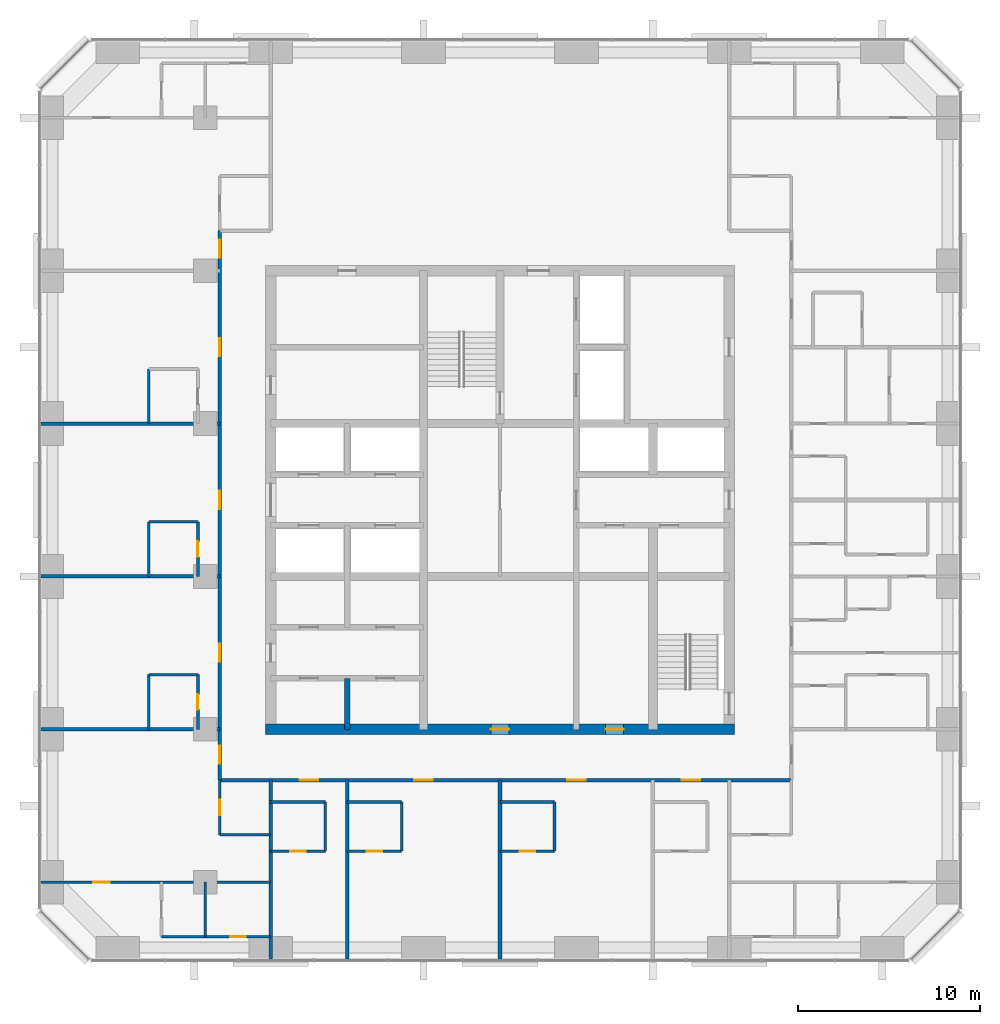
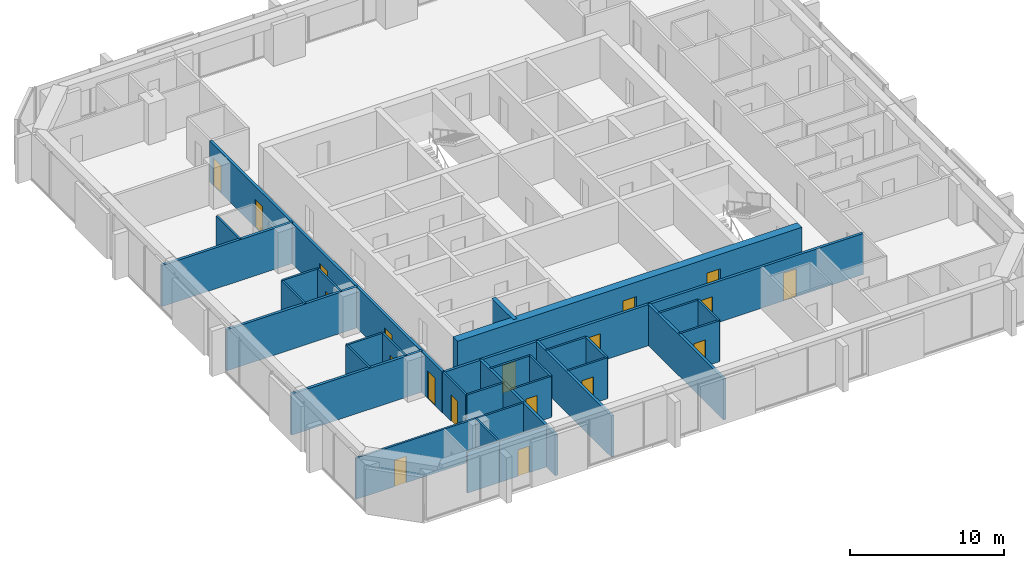
# One storey, part 8 of 13: 32 walls, 19 doors, 19 openings.
"""IFC4 building model written with IfcOpenShell, lengths in metres."""

from ifc_helpers import new_model, si_unit, direction, frame, frame_2d, origin, place, context, subcontext, project, spatial, rectangle, extrude, material, layer, layer_set, type_object, element, fill, save


model = new_model("IFC4")

# Units and contexts
model_context = context("Model", 3, precision=1e-05, world=origin(), true_north=direction((0.0, 1.0)))
body_context = subcontext(model_context, "Body", "Model", "MODEL_VIEW")
ifc_project = project(units=[si_unit("LENGTHUNIT", "METRE"), si_unit("AREAUNIT", "SQUARE_METRE"), si_unit("VOLUMEUNIT", "CUBIC_METRE"), si_unit("PLANEANGLEUNIT", "RADIAN"), si_unit("MASSUNIT", "GRAM", prefix="KILO")], contexts=[model_context])

# Site, building, storey
site_placement = place(None, origin())
site = spatial("IfcSite", under=ifc_project, at=site_placement, CompositionType="ELEMENT")
building_placement = place(site_placement, origin())
building = spatial("IfcBuilding", under=site, at=building_placement, Name="Dunama Terrace Hotel", CompositionType="ELEMENT")
storey_placement = place(building_placement, frame((0.0, 0.0, 195.0)))
storey = spatial("IfcBuildingStorey", under=building, at=storey_placement, Name="L50", CompositionType="ELEMENT", Elevation=195.0)

# Walls
ifc_material_1 = material(Name="Gypsum board partition", Category="masonry")
ifc_layer_1 = layer(ifc_material_1, 0.14990234375)
ifc_layer_set_1 = layer_set([ifc_layer_1], Name="Bathroom partition 150")
wall_type_1 = type_object("IfcWallType", Name="Bathroom partition 150", PredefinedType="PARTITIONING", material=ifc_layer_set_1)
for number, where, z_axis, x_axis, name in (
    (1, (10.10009765625, 16.800048828125, 0.0), (0.0, 0.0, 1.0), (0.0, 1.0, 0.0), "Bathroom partition 150 L50"),
    (2, (10.10009765625, 25.199951171875, 0.0), (0.0, 0.0, 1.0), (0.0, 1.0, 0.0), "Bathroom partition 150 L50"),
    (3, (10.10009765625, 33.60009765625, 0.0), (0.0, 0.0, 1.0), (0.0, 1.0, 0.0), "Bathroom partition 150 L50"),
):
    element("IfcWall", number, at=place(storey_placement, frame(where, z_axis=z_axis, x_axis=x_axis)), inside=storey, type_object=wall_type_1, Name=name, PredefinedType="PARTITIONING", context=body_context, shape_type="SweptSolid", body=[
        extrude(rectangle(XDim=3.0, YDim=0.14990234375, at=frame_2d((1.5, 0.0))), origin(), (0.0, 0.0, 1.0), 3.25),
    ])

# Wall, opening, door
wall_1_placement = place(storey_placement, frame((12.800048828125, 16.800048828125, 0.0), z_axis=(0.0, 0.0, 1.0), x_axis=(0.0, 1.0, 0.0)))
wall_1 = element("IfcWall", 4, at=wall_1_placement, inside=storey, type_object=wall_type_1, Name="Bathroom partition 150 L50", PredefinedType="PARTITIONING", context=body_context, shape_type="SweptSolid", body=[
    extrude(rectangle(XDim=3.0, YDim=0.14990234375, at=frame_2d((1.5, 0.0))), origin(), (0.0, 0.0, 1.0), 3.25),
])
opening_1_placement = place(wall_1_placement, frame((1.074951171875, 0.0, 0.0)))
opening_1 = element("IfcOpeningElement", 5, at=opening_1_placement, cuts=wall_1, Name="Opening L48-50-034", PredefinedType="OPENING", context=body_context, shape_type="SweptSolid", body=[
    extrude(rectangle(XDim=0.85009765625, YDim=2.10009765625, at=frame_2d((0.425048828125, 1.050048828125))), frame((0.0, 0.0849609375, 0.0), z_axis=(0.0, -1.0, 0.0), x_axis=(1.0, 0.0, 0.0)), (0.0, 0.0, 1.0), 0.169921875),
])
ifc_material_2 = material(Name="Timber door with steel frame", Category="steel")
door_type_1 = type_object("IfcDoorType", Name="Bathroom door 850", OperationType="SINGLE_SWING_LEFT", PredefinedType="DOOR", material=ifc_material_2)
door_1_placement = place(opening_1_placement, origin())
door_1 = element("IfcDoor", 6, at=door_1_placement, inside=storey, type_object=door_type_1, Name="Door to en-suite bathroom L48-50-034, type D2", OperationType="SINGLE_SWING_LEFT", OverallHeight=2.10009765625, OverallWidth=0.85009765625, PredefinedType="DOOR", context=body_context, shape_type="SweptSolid", body=[
    extrude(rectangle(XDim=0.85009765625, YDim=2.10009765625, at=frame_2d((0.425048828125, 1.050048828125))), frame((0.0, 0.02490234375, 0.0), z_axis=(0.0, -1.0, 0.0), x_axis=(1.0, 0.0, 0.0)), (0.0, 0.0, 1.0), 0.050048828125),
])
fill(opening_1, door_1)

wall_2_placement = place(storey_placement, frame((12.800048828125, 25.199951171875, 0.0), z_axis=(0.0, 0.0, 1.0), x_axis=(0.0, 1.0, 0.0)))
wall_2 = element("IfcWall", 7, at=wall_2_placement, inside=storey, type_object=wall_type_1, Name="Bathroom partition 150 L50", PredefinedType="PARTITIONING", context=body_context, shape_type="SweptSolid", body=[
    extrude(rectangle(XDim=3.0, YDim=0.14990234375, at=frame_2d((1.5, 0.0))), origin(), (0.0, 0.0, 1.0), 3.25),
])
opening_2_placement = place(wall_2_placement, frame((1.074951171875, 0.0, 0.0)))
opening_2 = element("IfcOpeningElement", 8, at=opening_2_placement, cuts=wall_2, Name="Opening L48-50-036", PredefinedType="OPENING", context=body_context, shape_type="SweptSolid", body=[
    extrude(rectangle(XDim=0.85009765625, YDim=2.10009765625, at=frame_2d((0.425048828125, 1.050048828125))), frame((0.0, 0.0849609375, 0.0), z_axis=(0.0, -1.0, 0.0), x_axis=(1.0, 0.0, 0.0)), (0.0, 0.0, 1.0), 0.169921875),
])
door_2_placement = place(opening_2_placement, origin())
door_2 = element("IfcDoor", 9, at=door_2_placement, inside=storey, type_object=door_type_1, Name="Door to en-suite bathroom L48-50-036, type D2", OperationType="SINGLE_SWING_LEFT", OverallHeight=2.10009765625, OverallWidth=0.85009765625, PredefinedType="DOOR", context=body_context, shape_type="SweptSolid", body=[
    extrude(rectangle(XDim=0.85009765625, YDim=2.10009765625, at=frame_2d((0.425048828125, 1.050048828125))), frame((0.0, 0.02490234375, 0.0), z_axis=(0.0, -1.0, 0.0), x_axis=(1.0, 0.0, 0.0)), (0.0, 0.0, 1.0), 0.050048828125),
])
fill(opening_2, door_2)

wall_3_placement = place(storey_placement, frame((14.0, 11.0, 0.0), z_axis=(0.0, 0.0, 1.0), x_axis=(0.0, 1.0, 0.0)))
wall_3 = element("IfcWall", 10, at=wall_3_placement, inside=storey, type_object=wall_type_1, Name="Bathroom partition 150 L50", PredefinedType="PARTITIONING", context=body_context, shape_type="SweptSolid", body=[
    extrude(rectangle(XDim=3.0, YDim=0.14990234375, at=frame_2d((1.5, 0.0))), origin(), (0.0, 0.0, 1.0), 3.25),
])
opening_3_placement = place(wall_3_placement, frame((1.074951171875, 0.0, 0.0)))
opening_3 = element("IfcOpeningElement", 11, at=opening_3_placement, cuts=wall_3, Name="Opening L48-50-040", PredefinedType="OPENING", context=body_context, shape_type="SweptSolid", body=[
    extrude(rectangle(XDim=0.85009765625, YDim=2.10009765625, at=frame_2d((0.425048828125, 1.050048828125))), frame((0.0, 0.0849609375, 0.0), z_axis=(0.0, -1.0, 0.0), x_axis=(1.0, 0.0, 0.0)), (0.0, 0.0, 1.0), 0.169921875),
])
door_3_placement = place(opening_3_placement, frame((0.85009765625, 0.0, 0.0), z_axis=(0.0, 0.0, 1.0), x_axis=(-1.0, 0.0, 0.0)))
door_3 = element("IfcDoor", 12, at=door_3_placement, inside=storey, type_object=door_type_1, Name="Door to powder room L48-50-040, type D2", OperationType="SINGLE_SWING_LEFT", OverallHeight=2.10009765625, OverallWidth=0.85009765625, PredefinedType="DOOR", context=body_context, shape_type="SweptSolid", body=[
    extrude(rectangle(XDim=0.85009765625, YDim=2.10009765625, at=frame_2d((0.425048828125, 1.050048828125))), frame((0.0, 0.025146484375, 0.0), z_axis=(0.0, -1.0, 0.0), x_axis=(1.0, 0.0, 0.0)), (0.0, 0.0, 1.0), 0.050048828125),
])
fill(opening_3, door_3)

# Walls
for number, where, z_axis, x_axis, name in (
    (13, (19.800048828125, 10.10009765625, 0.0), (0.0, 0.0, 1.0), (0.0, 1.0, 0.0), "Bathroom partition 150 L50"),
    (14, (24.0, 10.10009765625, 0.0), (0.0, 0.0, 1.0), (0.0, 1.0, 0.0), "Bathroom partition 150 L50"),
    (15, (32.39990234375, 10.10009765625, 0.0), (0.0, 0.0, 1.0), (0.0, 1.0, 0.0), "Bathroom partition 150 L50"),
):
    element("IfcWall", number, at=place(storey_placement, frame(where, z_axis=z_axis, x_axis=x_axis)), inside=storey, type_object=wall_type_1, Name=name, PredefinedType="PARTITIONING", context=body_context, shape_type="SweptSolid", body=[
        extrude(rectangle(XDim=2.699951171875, YDim=0.14990234375, at=frame_2d((1.35009765625, 0.0))), origin(), (0.0, 0.0, 1.0), 3.25),
    ])

# Wall, opening, door
wall_4_placement = place(storey_placement, frame((13.199951171875, 5.39990234375, 0.0), z_axis=(0.0, 0.0, 1.0), x_axis=(1.0, 0.0, 0.0)))
wall_4 = element("IfcWall", 16, at=wall_4_placement, inside=storey, type_object=wall_type_1, Name="Bathroom partition 150 L50", PredefinedType="PARTITIONING", context=body_context, shape_type="SweptSolid", body=[
    extrude(rectangle(XDim=3.60009765625, YDim=0.14990234375, at=frame_2d((1.800048828125, 0.0))), origin(), (0.0, 0.0, 1.0), 3.25),
])
opening_4_placement = place(wall_4_placement, frame((1.375, 0.0, 0.0)))
opening_4 = element("IfcOpeningElement", 17, at=opening_4_placement, cuts=wall_4, Name="Opening L48-50-042", PredefinedType="OPENING", context=body_context, shape_type="SweptSolid", body=[
    extrude(rectangle(XDim=0.85009765625, YDim=2.10009765625, at=frame_2d((0.425048828125, 1.050048828125))), frame((0.0, 0.0849609375, 0.0), z_axis=(0.0, -1.0, 0.0), x_axis=(1.0, 0.0, 0.0)), (0.0, 0.0, 1.0), 0.169921875),
])
door_4_placement = place(opening_4_placement, origin())
door_4 = element("IfcDoor", 18, at=door_4_placement, inside=storey, type_object=door_type_1, Name="Door to en-suite bathroom L48-50-042, type D2", OperationType="SINGLE_SWING_RIGHT", OverallHeight=2.10009765625, OverallWidth=0.85009765625, PredefinedType="DOOR", context=body_context, shape_type="SweptSolid", body=[
    extrude(rectangle(XDim=0.85009765625, YDim=2.10009765625, at=frame_2d((0.425048828125, 1.050048828125))), frame((0.0, 0.02490234375, 0.0), z_axis=(0.0, -1.0, 0.0), x_axis=(1.0, 0.0, 0.0)), (0.0, 0.0, 1.0), 0.050048828125),
])
fill(opening_4, door_4)

wall_5_placement = place(storey_placement, frame((16.800048828125, 10.10009765625, 0.0), z_axis=(0.0, 0.0, 1.0), x_axis=(1.0, 0.0, 0.0)))
wall_5 = element("IfcWall", 19, at=wall_5_placement, inside=storey, type_object=wall_type_1, Name="Bathroom partition 150 L50", PredefinedType="PARTITIONING", context=body_context, shape_type="SweptSolid", body=[
    extrude(rectangle(XDim=3.0, YDim=0.14990234375, at=frame_2d((1.5, 0.0))), origin(), (0.0, 0.0, 1.0), 3.25),
])
opening_5_placement = place(wall_5_placement, frame((1.074951171875, 0.0, 0.0)))
opening_5 = element("IfcOpeningElement", 20, at=opening_5_placement, cuts=wall_5, Name="Opening L48-50-010", PredefinedType="OPENING", context=body_context, shape_type="SweptSolid", body=[
    extrude(rectangle(XDim=0.85009765625, YDim=2.10009765625, at=frame_2d((0.425048828125, 1.050048828125))), frame((0.0, 0.0849609375, 0.0), z_axis=(0.0, -1.0, 0.0), x_axis=(1.0, 0.0, 0.0)), (0.0, 0.0, 1.0), 0.169921875),
])
door_5_placement = place(opening_5_placement, origin())
door_5 = element("IfcDoor", 21, at=door_5_placement, inside=storey, type_object=door_type_1, Name="Door to en-suite bathroom L48-50-010, type D2", OperationType="SINGLE_SWING_LEFT", OverallHeight=2.10009765625, OverallWidth=0.85009765625, PredefinedType="DOOR", context=body_context, shape_type="SweptSolid", body=[
    extrude(rectangle(XDim=0.85009765625, YDim=2.10009765625, at=frame_2d((0.425048828125, 1.050048828125))), frame((0.0, 0.02490234375, 0.0), z_axis=(0.0, -1.0, 0.0), x_axis=(1.0, 0.0, 0.0)), (0.0, 0.0, 1.0), 0.050048828125),
])
fill(opening_5, door_5)

wall_6_placement = place(storey_placement, frame((21.0, 10.10009765625, 0.0), z_axis=(0.0, 0.0, 1.0), x_axis=(1.0, 0.0, 0.0)))
wall_6 = element("IfcWall", 22, at=wall_6_placement, inside=storey, type_object=wall_type_1, Name="Bathroom partition 150 L50", PredefinedType="PARTITIONING", context=body_context, shape_type="SweptSolid", body=[
    extrude(rectangle(XDim=3.0, YDim=0.14990234375, at=frame_2d((1.5, 0.0))), origin(), (0.0, 0.0, 1.0), 3.25),
])
opening_6_placement = place(wall_6_placement, frame((1.074951171875, 0.0, 0.0)))
opening_6 = element("IfcOpeningElement", 23, at=opening_6_placement, cuts=wall_6, Name="Opening L48-50-012", PredefinedType="OPENING", context=body_context, shape_type="SweptSolid", body=[
    extrude(rectangle(XDim=0.85009765625, YDim=2.10009765625, at=frame_2d((0.425048828125, 1.050048828125))), frame((0.0, 0.0849609375, 0.0), z_axis=(0.0, -1.0, 0.0), x_axis=(1.0, 0.0, 0.0)), (0.0, 0.0, 1.0), 0.169921875),
])
door_6_placement = place(opening_6_placement, origin())
door_6 = element("IfcDoor", 24, at=door_6_placement, inside=storey, type_object=door_type_1, Name="Door to en-suite bathroom L48-50-012, type D2", OperationType="SINGLE_SWING_LEFT", OverallHeight=2.10009765625, OverallWidth=0.85009765625, PredefinedType="DOOR", context=body_context, shape_type="SweptSolid", body=[
    extrude(rectangle(XDim=0.85009765625, YDim=2.10009765625, at=frame_2d((0.425048828125, 1.050048828125))), frame((0.0, 0.02490234375, 0.0), z_axis=(0.0, -1.0, 0.0), x_axis=(1.0, 0.0, 0.0)), (0.0, 0.0, 1.0), 0.050048828125),
])
fill(opening_6, door_6)

wall_7_placement = place(storey_placement, frame((29.39990234375, 10.10009765625, 0.0), z_axis=(0.0, 0.0, 1.0), x_axis=(1.0, 0.0, 0.0)))
wall_7 = element("IfcWall", 25, at=wall_7_placement, inside=storey, type_object=wall_type_1, Name="Bathroom partition 150 L50", PredefinedType="PARTITIONING", context=body_context, shape_type="SweptSolid", body=[
    extrude(rectangle(XDim=3.0, YDim=0.14990234375, at=frame_2d((1.5, 0.0))), origin(), (0.0, 0.0, 1.0), 3.25),
])
opening_7_placement = place(wall_7_placement, frame((1.074951171875, 0.0, 0.0)))
opening_7 = element("IfcOpeningElement", 26, at=opening_7_placement, cuts=wall_7, Name="Opening L48-50-014", PredefinedType="OPENING", context=body_context, shape_type="SweptSolid", body=[
    extrude(rectangle(XDim=0.85009765625, YDim=2.10009765625, at=frame_2d((0.425048828125, 1.050048828125))), frame((0.0, 0.0849609375, 0.0), z_axis=(0.0, -1.0, 0.0), x_axis=(1.0, 0.0, 0.0)), (0.0, 0.0, 1.0), 0.169921875),
])
door_7_placement = place(opening_7_placement, origin())
door_7 = element("IfcDoor", 27, at=door_7_placement, inside=storey, type_object=door_type_1, Name="Door to en-suite bathroom L48-50-014, type D2", OperationType="SINGLE_SWING_LEFT", OverallHeight=2.10009765625, OverallWidth=0.85009765625, PredefinedType="DOOR", context=body_context, shape_type="SweptSolid", body=[
    extrude(rectangle(XDim=0.85009765625, YDim=2.10009765625, at=frame_2d((0.425048828125, 1.050048828125))), frame((0.0, 0.02490234375, 0.0), z_axis=(0.0, -1.0, 0.0), x_axis=(1.0, 0.0, 0.0)), (0.0, 0.0, 1.0), 0.050048828125),
])
fill(opening_7, door_7)

# Walls
wall_8_placement = place(storey_placement, frame((14.0, 11.0, 0.0), z_axis=(0.0, 0.0, 1.0), x_axis=(1.0, 0.0, 0.0)))
element("IfcWall", 28, at=wall_8_placement, inside=storey, type_object=wall_type_1, Name="Bathroom partition 150 L50", PredefinedType="PARTITIONING", context=body_context, shape_type="SweptSolid", body=[
    extrude(rectangle(XDim=2.800048828125, YDim=0.14990234375, at=frame_2d((1.39990234375, 0.0))), origin(), (0.0, 0.0, 1.0), 3.25),
])
for number, where, z_axis, x_axis, name in (
    (29, (16.800048828125, 12.800048828125, 0.0), (0.0, 0.0, 1.0), (1.0, 0.0, 0.0), "Bathroom partition 150 L50"),
    (30, (21.0, 12.800048828125, 0.0), (0.0, 0.0, 1.0), (1.0, 0.0, 0.0), "Bathroom partition 150 L50"),
    (31, (29.39990234375, 12.800048828125, 0.0), (0.0, 0.0, 1.0), (1.0, 0.0, 0.0), "Bathroom partition 150 L50"),
):
    element("IfcWall", number, at=place(storey_placement, frame(where, z_axis=z_axis, x_axis=x_axis)), inside=storey, type_object=wall_type_1, Name=name, PredefinedType="PARTITIONING", context=body_context, shape_type="SweptSolid", body=[
        extrude(rectangle(XDim=3.0, YDim=0.14990234375, at=frame_2d((1.5, 0.0))), origin(), (0.0, 0.0, 1.0), 3.25),
    ])
for number, where, z_axis, x_axis, name in (
    (32, (10.10009765625, 19.800048828125, 0.0), (0.0, 0.0, 1.0), (1.0, 0.0, 0.0), "Bathroom partition 150 L50"),
    (33, (10.10009765625, 28.199951171875, 0.0), (0.0, 0.0, 1.0), (1.0, 0.0, 0.0), "Bathroom partition 150 L50"),
):
    element("IfcWall", number, at=place(storey_placement, frame(where, z_axis=z_axis, x_axis=x_axis)), inside=storey, type_object=wall_type_1, Name=name, PredefinedType="PARTITIONING", context=body_context, shape_type="SweptSolid", body=[
        extrude(rectangle(XDim=2.699951171875, YDim=0.14990234375, at=frame_2d((1.35009765625, 0.0))), origin(), (0.0, 0.0, 1.0), 3.25),
    ])
ifc_material_3 = material(Name="Concrete C50/60", Category="concrete")
ifc_layer_2 = layer(ifc_material_3, 0.300048828125)
ifc_layer_set_2 = layer_set([ifc_layer_2], Name="Core inner wall 300")
wall_type_2 = type_object("IfcWallType", Name="Core inner wall 300", PredefinedType="SHEAR", material=ifc_layer_set_2)
wall_9_placement = place(storey_placement, frame((21.0, 16.800048828125, -0.35009765625), z_axis=(0.0, 0.0, 1.0), x_axis=(0.0, 1.0, 0.0)))
element("IfcWall", 34, at=wall_9_placement, inside=storey, type_object=wall_type_2, Name="Core inner wall 300 L50", PredefinedType="SHEAR", context=body_context, shape_type="SweptSolid", body=[
    extrude(rectangle(XDim=2.800048828125, YDim=0.300048828125, at=frame_2d((1.39990234375, 0.0))), origin(), (0.0, 0.0, 1.0), 3.60009765625),
])

# Wall, openings, doors
ifc_material_4 = material(Name="Concrete C50/60", Category="concrete")
ifc_layer_3 = layer(ifc_material_4, 0.60009765625)
ifc_layer_set_3 = layer_set([ifc_layer_3], Name="Core wall 600")
wall_type_3 = type_object("IfcWallType", Name="Core wall 600", PredefinedType="SHEAR", material=ifc_layer_set_3)
wall_10_placement = place(storey_placement, frame((16.5, 16.800048828125, -0.35009765625), z_axis=(0.0, 0.0, 1.0), x_axis=(1.0, 0.0, 0.0)))
wall_10 = element("IfcWall", 35, at=wall_10_placement, inside=storey, type_object=wall_type_3, Name="Core wall south L50", PredefinedType="SHEAR", context=body_context, shape_type="SweptSolid", body=[
    extrude(rectangle(XDim=25.800048828125, YDim=0.60009765625, at=frame_2d((12.89990234375, 0.0))), origin(), (0.0, 0.0, 1.0), 3.60009765625),
])
opening_8_placement = place(wall_10_placement, frame((12.39990234375, 0.0, 0.35009765625)))
opening_8 = element("IfcOpeningElement", 36, at=opening_8_placement, cuts=wall_10, Name="Opening L48-50-074", PredefinedType="OPENING", context=body_context, shape_type="SweptSolid", body=[
    extrude(rectangle(XDim=1.0, YDim=2.10009765625, at=frame_2d((0.5, 1.050048828125))), frame((0.0, 0.31005859375, 0.0), z_axis=(0.0, -1.0, 0.0), x_axis=(1.0, 0.0, 0.0)), (0.0, 0.0, 1.0), 0.6201171875),
])
opening_9_placement = place(wall_10_placement, frame((18.699951171875, 0.0, 0.35009765625)))
opening_9 = element("IfcOpeningElement", 37, at=opening_9_placement, cuts=wall_10, Name="Opening L48-50-075", PredefinedType="OPENING", context=body_context, shape_type="SweptSolid", body=[
    extrude(rectangle(XDim=1.0, YDim=2.10009765625, at=frame_2d((0.5, 1.050048828125))), frame((0.0, 0.31005859375, 0.0), z_axis=(0.0, -1.0, 0.0), x_axis=(1.0, 0.0, 0.0)), (0.0, 0.0, 1.0), 0.6201171875),
])
ifc_material_5 = material(Name="Timber door with steel frame", Category="steel")
door_type_2 = type_object("IfcDoorType", Name="Service door 1000", OperationType="SINGLE_SWING_LEFT", PredefinedType="DOOR", material=ifc_material_5)
door_8_placement = place(opening_8_placement, origin())
door_8 = element("IfcDoor", 38, at=door_8_placement, inside=storey, type_object=door_type_2, Name="Door to corridor air handling room L48-50-074, type D7", OperationType="SINGLE_SWING_LEFT", OverallHeight=2.10009765625, OverallWidth=1.0, PredefinedType="DOOR", context=body_context, shape_type="SweptSolid", body=[
    extrude(rectangle(XDim=1.0, YDim=2.10009765625, at=frame_2d((0.5, 1.050048828125))), frame((0.0, 0.02490234375, 0.0), z_axis=(0.0, -1.0, 0.0), x_axis=(1.0, 0.0, 0.0)), (0.0, 0.0, 1.0), 0.050048828125),
])
fill(opening_8, door_8)
door_9_placement = place(opening_9_placement, origin())
door_9 = element("IfcDoor", 39, at=door_9_placement, inside=storey, type_object=door_type_2, Name="Door to water riser room L48-50-075, type D7", OperationType="SINGLE_SWING_RIGHT", OverallHeight=2.10009765625, OverallWidth=1.0, PredefinedType="DOOR", context=body_context, shape_type="SweptSolid", body=[
    extrude(rectangle(XDim=1.0, YDim=2.10009765625, at=frame_2d((0.5, 1.050048828125))), frame((0.0, 0.02490234375, 0.0), z_axis=(0.0, -1.0, 0.0), x_axis=(1.0, 0.0, 0.0)), (0.0, 0.0, 1.0), 0.050048828125),
])
fill(opening_9, door_9)

ifc_material_6 = material(Name="Concrete blockwork", Category="masonry")
ifc_layer_4 = layer(ifc_material_6, 0.199951171875)
ifc_layer_set_4 = layer_set([ifc_layer_4], Name="Corridor partition 200")
wall_type_4 = type_object("IfcWallType", Name="Corridor partition 200", PredefinedType="PARTITIONING", material=ifc_layer_set_4)
wall_11_placement = place(storey_placement, frame((14.0, 14.0, 0.0), z_axis=(0.0, 0.0, 1.0), x_axis=(0.0, 1.0, 0.0)))
wall_11 = element("IfcWall", 40, at=wall_11_placement, inside=storey, type_object=wall_type_4, Name="Corridor partition 200 L50", PredefinedType="PARTITIONING", context=body_context, shape_type="SweptSolid", body=[
    extrude(rectangle(XDim=30.199951171875, YDim=0.199951171875, at=frame_2d((15.10009765625, 0.0))), origin(), (0.0, 0.0, 1.0), 3.25),
])
opening_10_placement = place(wall_11_placement, frame((6.5, 0.0, 0.0)))
opening_10 = element("IfcOpeningElement", 41, at=opening_10_placement, cuts=wall_11, Name="Opening L48-50-033", PredefinedType="OPENING", context=body_context, shape_type="SweptSolid", body=[
    extrude(rectangle(XDim=1.0, YDim=2.199951171875, at=frame_2d((0.5, 1.10009765625))), frame((0.0, 0.10986328125, 0.0), z_axis=(0.0, -1.0, 0.0), x_axis=(1.0, 0.0, 0.0)), (0.0, 0.0, 1.0), 0.219970703125),
])
opening_11_placement = place(wall_11_placement, frame((14.89990234375, 0.0, 0.0)))
opening_11 = element("IfcOpeningElement", 42, at=opening_11_placement, cuts=wall_11, Name="Opening L48-50-035", PredefinedType="OPENING", context=body_context, shape_type="SweptSolid", body=[
    extrude(rectangle(XDim=1.0, YDim=2.199951171875, at=frame_2d((0.5, 1.10009765625))), frame((0.0, 0.10986328125, 0.0), z_axis=(0.0, -1.0, 0.0), x_axis=(1.0, 0.0, 0.0)), (0.0, 0.0, 1.0), 0.219970703125),
])
opening_12_placement = place(wall_11_placement, frame((23.300048828125, 0.0, 0.0)))
opening_12 = element("IfcOpeningElement", 43, at=opening_12_placement, cuts=wall_11, Name="Opening L48-50-037", PredefinedType="OPENING", context=body_context, shape_type="SweptSolid", body=[
    extrude(rectangle(XDim=1.0, YDim=2.199951171875, at=frame_2d((0.5, 1.10009765625))), frame((0.0, 0.10986328125, 0.0), z_axis=(0.0, -1.0, 0.0), x_axis=(1.0, 0.0, 0.0)), (0.0, 0.0, 1.0), 0.219970703125),
])
opening_13_placement = place(wall_11_placement, frame((0.89990234375, 0.0, 0.0)))
opening_13 = element("IfcOpeningElement", 44, at=opening_13_placement, cuts=wall_11, Name="Opening L48-50-039", PredefinedType="OPENING", context=body_context, shape_type="SweptSolid", body=[
    extrude(rectangle(XDim=1.0, YDim=2.199951171875, at=frame_2d((0.5, 1.10009765625))), frame((0.0, 0.10986328125, 0.0), z_axis=(0.0, -1.0, 0.0), x_axis=(1.0, 0.0, 0.0)), (0.0, 0.0, 1.0), 0.219970703125),
])
opening_14_placement = place(wall_11_placement, frame((28.699951171875, 0.0, 0.0)))
opening_14 = element("IfcOpeningElement", 45, at=opening_14_placement, cuts=wall_11, Name="Opening L48-50-054", PredefinedType="OPENING", context=body_context, shape_type="SweptSolid", body=[
    extrude(rectangle(XDim=1.0, YDim=2.199951171875, at=frame_2d((0.5, 1.10009765625))), frame((0.0, 0.10986328125, 0.0), z_axis=(0.0, -1.0, 0.0), x_axis=(1.0, 0.0, 0.0)), (0.0, 0.0, 1.0), 0.219970703125),
])
ifc_material_7 = material(Name="Timber door with steel frame", Category="steel")
door_type_3 = type_object("IfcDoorType", Name="Guest room door 1000", OperationType="SINGLE_SWING_LEFT", PredefinedType="DOOR", material=ifc_material_7)
door_10_placement = place(opening_10_placement, origin())
door_10 = element("IfcDoor", 46, at=door_10_placement, inside=storey, type_object=door_type_3, Name="Door to junior suite L48-50-033, type D1", OperationType="SINGLE_SWING_LEFT", OverallHeight=2.199951171875, OverallWidth=1.0, PredefinedType="DOOR", context=body_context, shape_type="SweptSolid", body=[
    extrude(rectangle(XDim=1.0, YDim=2.199951171875, at=frame_2d((0.5, 1.10009765625))), frame((0.0, 0.02490234375, 0.0), z_axis=(0.0, -1.0, 0.0), x_axis=(1.0, 0.0, 0.0)), (0.0, 0.0, 1.0), 0.050048828125),
])
fill(opening_10, door_10)
door_11_placement = place(opening_11_placement, origin())
door_11 = element("IfcDoor", 47, at=door_11_placement, inside=storey, type_object=door_type_3, Name="Door to junior suite L48-50-035, type D1", OperationType="SINGLE_SWING_LEFT", OverallHeight=2.199951171875, OverallWidth=1.0, PredefinedType="DOOR", context=body_context, shape_type="SweptSolid", body=[
    extrude(rectangle(XDim=1.0, YDim=2.199951171875, at=frame_2d((0.5, 1.10009765625))), frame((0.0, 0.02490234375, 0.0), z_axis=(0.0, -1.0, 0.0), x_axis=(1.0, 0.0, 0.0)), (0.0, 0.0, 1.0), 0.050048828125),
])
fill(opening_11, door_11)
door_12_placement = place(opening_12_placement, origin())
door_12 = element("IfcDoor", 48, at=door_12_placement, inside=storey, type_object=door_type_3, Name="Door to junior suite L48-50-037, type D1", OperationType="SINGLE_SWING_LEFT", OverallHeight=2.199951171875, OverallWidth=1.0, PredefinedType="DOOR", context=body_context, shape_type="SweptSolid", body=[
    extrude(rectangle(XDim=1.0, YDim=2.199951171875, at=frame_2d((0.5, 1.10009765625))), frame((0.0, 0.02490234375, 0.0), z_axis=(0.0, -1.0, 0.0), x_axis=(1.0, 0.0, 0.0)), (0.0, 0.0, 1.0), 0.050048828125),
])
fill(opening_12, door_12)
door_13_placement = place(opening_13_placement, origin())
door_13 = element("IfcDoor", 49, at=door_13_placement, inside=storey, type_object=door_type_3, Name="Door to corner suite living room L48-50-039, type D1", OperationType="SINGLE_SWING_RIGHT", OverallHeight=2.199951171875, OverallWidth=1.0, PredefinedType="DOOR", context=body_context, shape_type="SweptSolid", body=[
    extrude(rectangle(XDim=1.0, YDim=2.199951171875, at=frame_2d((0.5, 1.10009765625))), frame((0.0, 0.02490234375, 0.0), z_axis=(0.0, -1.0, 0.0), x_axis=(1.0, 0.0, 0.0)), (0.0, 0.0, 1.0), 0.050048828125),
])
fill(opening_13, door_13)
door_14_placement = place(opening_14_placement, origin())
door_14 = element("IfcDoor", 50, at=door_14_placement, inside=storey, type_object=door_type_3, Name="Door to corner suite living room L48-50-054, type D1", OperationType="SINGLE_SWING_LEFT", OverallHeight=2.199951171875, OverallWidth=1.0, PredefinedType="DOOR", context=body_context, shape_type="SweptSolid", body=[
    extrude(rectangle(XDim=1.0, YDim=2.199951171875, at=frame_2d((0.5, 1.10009765625))), frame((0.0, 0.02490234375, 0.0), z_axis=(0.0, -1.0, 0.0), x_axis=(1.0, 0.0, 0.0)), (0.0, 0.0, 1.0), 0.050048828125),
])
fill(opening_14, door_14)

wall_12_placement = place(storey_placement, frame((45.39990234375, 14.0, 0.0), z_axis=(0.0, 0.0, 1.0), x_axis=(-1.0, 0.0, 0.0)))
wall_12 = element("IfcWall", 51, at=wall_12_placement, inside=storey, type_object=wall_type_4, Name="Corridor partition 200 L50", PredefinedType="PARTITIONING", context=body_context, shape_type="SweptSolid", body=[
    extrude(rectangle(XDim=31.39990234375, YDim=0.199951171875, at=frame_2d((15.699951171875, 0.0))), origin(), (0.0, 0.0, 1.0), 3.25),
])
opening_15_placement = place(wall_12_placement, frame((26.0, 0.0, 0.0)))
opening_15 = element("IfcOpeningElement", 52, at=opening_15_placement, cuts=wall_12, Name="Opening L48-50-009", PredefinedType="OPENING", context=body_context, shape_type="SweptSolid", body=[
    extrude(rectangle(XDim=1.0, YDim=2.199951171875, at=frame_2d((0.5, 1.10009765625))), frame((0.0, 0.10986328125, 0.0), z_axis=(0.0, -1.0, 0.0), x_axis=(1.0, 0.0, 0.0)), (0.0, 0.0, 1.0), 0.219970703125),
])
opening_16_placement = place(wall_12_placement, frame((19.699951171875, 0.0, 0.0)))
opening_16 = element("IfcOpeningElement", 53, at=opening_16_placement, cuts=wall_12, Name="Opening L48-50-011", PredefinedType="OPENING", context=body_context, shape_type="SweptSolid", body=[
    extrude(rectangle(XDim=1.0, YDim=2.199951171875, at=frame_2d((0.5, 1.10009765625))), frame((0.0, 0.10986328125, 0.0), z_axis=(0.0, -1.0, 0.0), x_axis=(1.0, 0.0, 0.0)), (0.0, 0.0, 1.0), 0.219970703125),
])
opening_17_placement = place(wall_12_placement, frame((11.300048828125, 0.0, 0.0)))
opening_17 = element("IfcOpeningElement", 54, at=opening_17_placement, cuts=wall_12, Name="Opening L48-50-013", PredefinedType="OPENING", context=body_context, shape_type="SweptSolid", body=[
    extrude(rectangle(XDim=1.0, YDim=2.199951171875, at=frame_2d((0.5, 1.10009765625))), frame((0.0, 0.10986328125, 0.0), z_axis=(0.0, -1.0, 0.0), x_axis=(1.0, 0.0, 0.0)), (0.0, 0.0, 1.0), 0.219970703125),
])
opening_18_placement = place(wall_12_placement, frame((5.0, 0.0, 0.0)))
opening_18 = element("IfcOpeningElement", 55, at=opening_18_placement, cuts=wall_12, Name="Opening L48-50-015", PredefinedType="OPENING", context=body_context, shape_type="SweptSolid", body=[
    extrude(rectangle(XDim=1.0, YDim=2.199951171875, at=frame_2d((0.5, 1.10009765625))), frame((0.0, 0.10986328125, 0.0), z_axis=(0.0, -1.0, 0.0), x_axis=(1.0, 0.0, 0.0)), (0.0, 0.0, 1.0), 0.219970703125),
])
door_15_placement = place(opening_15_placement, origin())
door_15 = element("IfcDoor", 56, at=door_15_placement, inside=storey, type_object=door_type_3, Name="Door to club room L48-50-009, type D1", OperationType="SINGLE_SWING_LEFT", OverallHeight=2.199951171875, OverallWidth=1.0, PredefinedType="DOOR", context=body_context, shape_type="SweptSolid", body=[
    extrude(rectangle(XDim=1.0, YDim=2.199951171875, at=frame_2d((0.5, 1.10009765625))), frame((0.0, 0.02490234375, 0.0), z_axis=(0.0, -1.0, 0.0), x_axis=(1.0, 0.0, 0.0)), (0.0, 0.0, 1.0), 0.050048828125),
])
fill(opening_15, door_15)
door_16_placement = place(opening_16_placement, origin())
door_16 = element("IfcDoor", 57, at=door_16_placement, inside=storey, type_object=door_type_3, Name="Door to junior suite L48-50-011, type D1", OperationType="SINGLE_SWING_RIGHT", OverallHeight=2.199951171875, OverallWidth=1.0, PredefinedType="DOOR", context=body_context, shape_type="SweptSolid", body=[
    extrude(rectangle(XDim=1.0, YDim=2.199951171875, at=frame_2d((0.5, 1.10009765625))), frame((0.0, 0.02490234375, 0.0), z_axis=(0.0, -1.0, 0.0), x_axis=(1.0, 0.0, 0.0)), (0.0, 0.0, 1.0), 0.050048828125),
])
fill(opening_16, door_16)
door_17_placement = place(opening_17_placement, origin())
door_17 = element("IfcDoor", 58, at=door_17_placement, inside=storey, type_object=door_type_3, Name="Door to junior suite L48-50-013, type D1", OperationType="SINGLE_SWING_RIGHT", OverallHeight=2.199951171875, OverallWidth=1.0, PredefinedType="DOOR", context=body_context, shape_type="SweptSolid", body=[
    extrude(rectangle(XDim=1.0, YDim=2.199951171875, at=frame_2d((0.5, 1.10009765625))), frame((0.0, 0.02490234375, 0.0), z_axis=(0.0, -1.0, 0.0), x_axis=(1.0, 0.0, 0.0)), (0.0, 0.0, 1.0), 0.050048828125),
])
fill(opening_17, door_17)
door_18_placement = place(opening_18_placement, origin())
door_18 = element("IfcDoor", 59, at=door_18_placement, inside=storey, type_object=door_type_3, Name="Door to club room L48-50-015, type D1", OperationType="SINGLE_SWING_LEFT", OverallHeight=2.199951171875, OverallWidth=1.0, PredefinedType="DOOR", context=body_context, shape_type="SweptSolid", body=[
    extrude(rectangle(XDim=1.0, YDim=2.199951171875, at=frame_2d((0.5, 1.10009765625))), frame((0.0, 0.02490234375, 0.0), z_axis=(0.0, -1.0, 0.0), x_axis=(1.0, 0.0, 0.0)), (0.0, 0.0, 1.0), 0.050048828125),
])
fill(opening_18, door_18)

# Walls
ifc_material_8 = material(Name="Concrete blockwork", Category="masonry")
ifc_layer_5 = layer(ifc_material_8, 0.199951171875)
ifc_layer_set_5 = layer_set([ifc_layer_5], Name="Party wall 200")
wall_type_5 = type_object("IfcWallType", Name="Party wall 200", PredefinedType="PARTITIONING", material=ifc_layer_set_5)
for number, where, z_axis, x_axis, name in (
    (60, (16.800048828125, 4.181884765625, 0.0), (0.0, 0.0, 1.0), (0.0, 1.0, 0.0), "Party wall 200 L50"),
    (61, (21.0, 4.181884765625, 0.0), (0.0, 0.0, 1.0), (0.0, 1.0, 0.0), "Party wall 200 L50"),
    (62, (29.39990234375, 4.181884765625, 0.0), (0.0, 0.0, 1.0), (0.0, 1.0, 0.0), "Party wall 200 L50"),
    (63, (4.181884765625, 16.800048828125, 0.0), (0.0, 0.0, 1.0), (1.0, 0.0, 0.0), "Party wall 200 L50"),
    (64, (4.181884765625, 25.199951171875, 0.0), (0.0, 0.0, 1.0), (1.0, 0.0, 0.0), "Party wall 200 L50"),
    (65, (4.181884765625, 33.60009765625, 0.0), (0.0, 0.0, 1.0), (1.0, 0.0, 0.0), "Party wall 200 L50"),
):
    element("IfcWall", number, at=place(storey_placement, frame(where, z_axis=z_axis, x_axis=x_axis)), inside=storey, type_object=wall_type_5, Name=name, PredefinedType="PARTITIONING", context=body_context, shape_type="SweptSolid", body=[
        extrude(rectangle(XDim=9.818115234375, YDim=0.199951171875, at=frame_2d((4.9091796875, 0.0))), origin(), (0.0, 0.0, 1.0), 3.25),
    ])
ifc_material_9 = material(Name="Gypsum board partition", Category="masonry")
ifc_layer_6 = layer(ifc_material_9, 0.14990234375)
ifc_layer_set_6 = layer_set([ifc_layer_6], Name="Room partition 150")
wall_type_6 = type_object("IfcWallType", Name="Room partition 150", PredefinedType="PARTITIONING", material=ifc_layer_set_6)
wall_13_placement = place(storey_placement, frame((13.199951171875, 5.39990234375, 0.0), z_axis=(0.0, 0.0, 1.0), x_axis=(0.0, 1.0, 0.0)))
element("IfcWall", 66, at=wall_13_placement, inside=storey, type_object=wall_type_6, Name="Room partition 150 L50", PredefinedType="PARTITIONING", context=body_context, shape_type="SweptSolid", body=[
    extrude(rectangle(XDim=3.0, YDim=0.14990234375, at=frame_2d((1.5, 0.0))), origin(), (0.0, 0.0, 1.0), 3.25),
])
wall_14_placement = place(storey_placement, frame((10.800048828125, 5.39990234375, 0.0), z_axis=(0.0, 0.0, 1.0), x_axis=(1.0, 0.0, 0.0)))
element("IfcWall", 67, at=wall_14_placement, inside=storey, type_object=wall_type_6, Name="Room partition 150 L50", PredefinedType="PARTITIONING", context=body_context, shape_type="SweptSolid", body=[
    extrude(rectangle(XDim=2.39990234375, YDim=0.14990234375, at=frame_2d((1.199951171875, 0.0))), origin(), (0.0, 0.0, 1.0), 3.25),
])

# Wall, opening, door
wall_15_placement = place(storey_placement, frame((4.181884765625, 8.39990234375, 0.0), z_axis=(0.0, 0.0, 1.0), x_axis=(1.0, 0.0, 0.0)))
wall_15 = element("IfcWall", 68, at=wall_15_placement, inside=storey, type_object=wall_type_6, Name="Room partition 150 L50", PredefinedType="PARTITIONING", context=body_context, shape_type="SweptSolid", body=[
    extrude(rectangle(XDim=12.6181640625, YDim=0.14990234375, at=frame_2d((6.30908203125, 0.0))), origin(), (0.0, 0.0, 1.0), 3.25),
])
opening_19_placement = place(wall_15_placement, frame((2.867919921875, 0.0, 0.0)))
opening_19 = element("IfcOpeningElement", 69, at=opening_19_placement, cuts=wall_15, Name="Opening L48-50-041", PredefinedType="OPENING", context=body_context, shape_type="SweptSolid", body=[
    extrude(rectangle(XDim=0.89990234375, YDim=2.10009765625, at=frame_2d((0.449951171875, 1.050048828125))), frame((0.0, 0.0849609375, 0.0), z_axis=(0.0, -1.0, 0.0), x_axis=(1.0, 0.0, 0.0)), (0.0, 0.0, 1.0), 0.169921875),
])
ifc_material_10 = material(Name="Timber door with steel frame", Category="steel")
door_type_4 = type_object("IfcDoorType", Name="Suite internal door 900", OperationType="SINGLE_SWING_LEFT", PredefinedType="DOOR", material=ifc_material_10)
door_19_placement = place(opening_19_placement, frame((0.89990234375, 0.0, 0.0), z_axis=(0.0, 0.0, 1.0), x_axis=(-1.0, 0.0, 0.0)))
door_19 = element("IfcDoor", 70, at=door_19_placement, inside=storey, type_object=door_type_4, Name="Door to corner suite bedroom L48-50-041, type D16", OperationType="SINGLE_SWING_RIGHT", OverallHeight=2.10009765625, OverallWidth=0.89990234375, PredefinedType="DOOR", context=body_context, shape_type="SweptSolid", body=[
    extrude(rectangle(XDim=0.89990234375, YDim=2.10009765625, at=frame_2d((0.449951171875, 1.050048828125))), frame((0.0, 0.025146484375, 0.0), z_axis=(0.0, -1.0, 0.0), x_axis=(1.0, 0.0, 0.0)), (0.0, 0.0, 1.0), 0.050048828125),
])
fill(opening_19, door_19)

save(model, "model.ifc")
